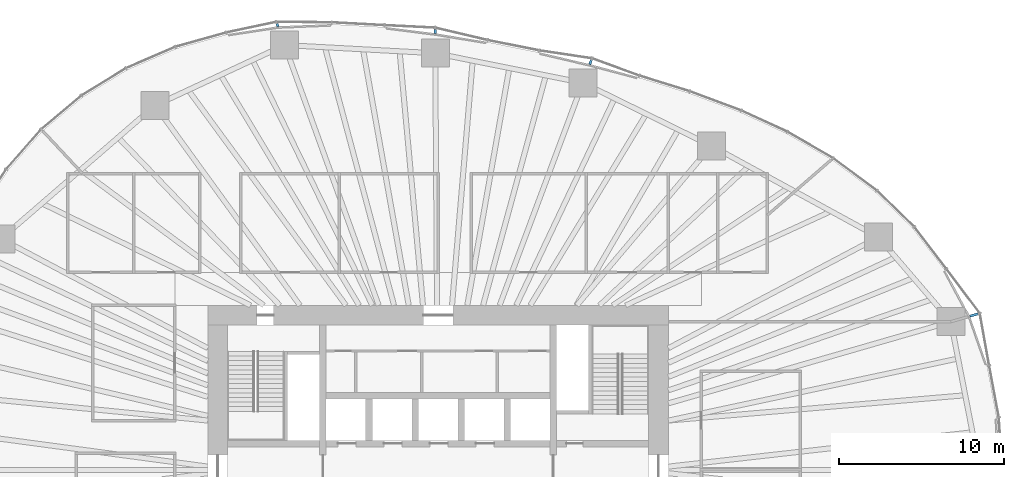
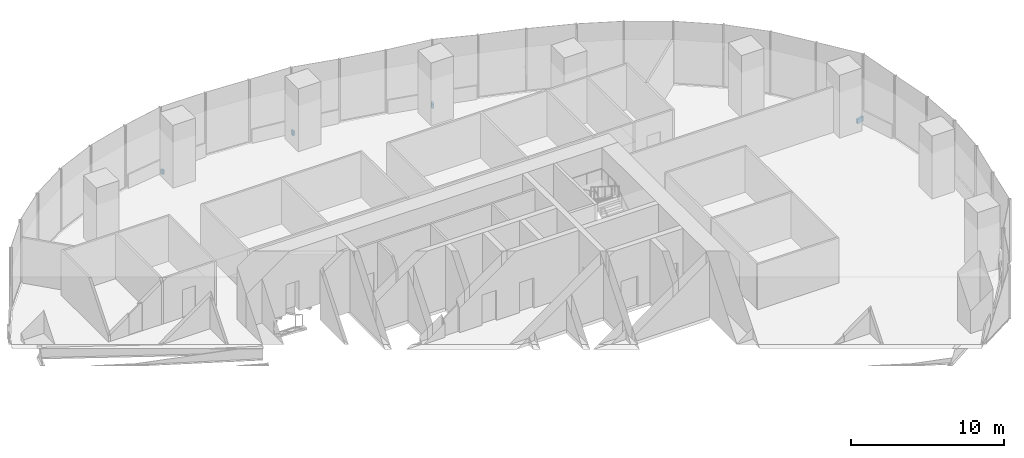
# One storey, part 15 of 19: 4 discrete accessories.
"""IFC4 building model written with IfcOpenShell, lengths in metres."""

import ifcopenshell
import ifcopenshell.guid

model = None  # the IFC model being written
_history = None  # IfcOwnerHistory: only IFC2X3 demands one
_inside = {}  # id of a spatial element -> (the spatial element, [elements in it])
_under = {}  # id of a project, library or spatial element -> (it, [spatial elements below it])
_declared = {}  # id of a project -> (the project, [libraries it declares])
_typed = {}  # id of a type object -> (the type object, [elements of that type])
_made_of = {}  # id of a material, layer set ... -> (it, [elements and type objects made of it])


def new_model(schema):
    """Start an empty IFC model of exactly this schema.

    Asked for "IFC4X3", IfcOpenShell would pick the latest addendum, in which some entities
    have other attributes; the version numbers below select the first issue.
    IFC2X3 requires an IfcOwnerHistory on every rooted entity: one is made here for all.
    """
    global model, _history
    if schema == "IFC4X3":
        model = ifcopenshell.file(schema_version=(4, 3, 0, 0))
    else:
        model = ifcopenshell.file(schema=schema)
    _inside.clear()
    _under.clear()
    _declared.clear()
    _typed.clear()
    _made_of.clear()
    _history = None
    if model.schema == "IFC2X3":
        org = make("IfcOrganization", Name="unknown")
        user = make(
            "IfcPersonAndOrganization",
            ThePerson=make("IfcPerson", FamilyName="unknown"),
            TheOrganization=org,
        )
        app = make(
            "IfcApplication",
            ApplicationDeveloper=org,
            Version="unknown",
            ApplicationFullName="unknown",
            ApplicationIdentifier="unknown",
        )
        _history = make(
            "IfcOwnerHistory",
            OwningUser=user,
            OwningApplication=app,
            ChangeAction="ADDED",
            CreationDate=0,
        )
    return model


def make(cls, **values):
    """One entity of the class cls with the attributes given. An attribute that is None is left unset."""
    return model.create_entity(
        cls, **{name: value for name, value in values.items() if value is not None}
    )


def rooted(cls, **values):
    """An entity with a GlobalId (a new one), such as an element, a storey or a relation."""
    return make(cls, GlobalId=ifcopenshell.guid.new(), OwnerHistory=_history, **values)


def si_unit(unit_type, name, prefix=None):
    """IfcSIUnit, for example si_unit("LENGTHUNIT", "METRE", prefix="MILLI")."""
    return make("IfcSIUnit", UnitType=unit_type, Prefix=prefix, Name=name)


def assignment(units):
    """IfcUnitAssignment: the units of a project."""
    return None if units is None else make("IfcUnitAssignment", Units=units)


def point(xyz):
    """IfcCartesianPoint."""
    return None if xyz is None else make("IfcCartesianPoint", Coordinates=xyz)


def direction(xyz):
    """IfcDirection."""
    return None if xyz is None else make("IfcDirection", DirectionRatios=xyz)


def frame(location, z_axis=None, x_axis=None):
    """IfcAxis2Placement3D, a coordinate frame: its origin and axes. An axis left out is left unset."""
    return make(
        "IfcAxis2Placement3D",
        Location=point(location),
        Axis=direction(z_axis),
        RefDirection=direction(x_axis),
    )


def frame_2d(location, x_axis=None):
    """IfcAxis2Placement2D, a coordinate frame in the plane: its origin and x axis."""
    return make(
        "IfcAxis2Placement2D", Location=point(location), RefDirection=direction(x_axis)
    )


def origin():
    """The frame at (0, 0, 0) with its axes left unset."""
    return frame((0.0, 0.0, 0.0))


def origin_2d():
    """The frame at (0, 0) in the plane with its x axis left unset."""
    return frame_2d((0.0, 0.0))


def place(relative_to, where):
    """IfcLocalPlacement: puts the frame where relative to a parent placement (None: the world)."""
    return make(
        "IfcLocalPlacement", PlacementRelTo=relative_to, RelativePlacement=where
    )


def context(
    kind, dimensions, precision=None, world=None, true_north=None, identifier=None
):
    """IfcGeometricRepresentationContext, for example the 3D "Model" context."""
    return make(
        "IfcGeometricRepresentationContext",
        ContextIdentifier=identifier,
        ContextType=kind,
        CoordinateSpaceDimension=dimensions,
        Precision=precision,
        WorldCoordinateSystem=world,
        TrueNorth=true_north,
    )


def subcontext(parent, identifier, kind, view, scale=None):
    """IfcGeometricRepresentationSubContext, for example "Body" below "Model"."""
    return make(
        "IfcGeometricRepresentationSubContext",
        ContextIdentifier=identifier,
        ContextType=kind,
        ParentContext=parent,
        TargetScale=scale,
        TargetView=view,
    )


def project(units=None, contexts=None):
    """IfcProject with its units and contexts."""
    return rooted(
        "IfcProject",
        Name="project",
        RepresentationContexts=contexts,
        UnitsInContext=assignment(units),
    )


def spatial(cls, under=None, at=None, **own):
    """A site, building, storey or space (cls), placed at a placement, below another one or the project."""
    s = rooted(cls, ObjectPlacement=at, **own)
    if under is not None:
        _under.setdefault(under.id(), (under, []))[1].append(s)
    return s


def profile(cls, at=None, kind="AREA", **sizes):
    """A parametric profile (cls). Its sizes go by their IFC names, for example OverallWidth=200.0."""
    return make(cls, ProfileType=kind, Position=at, **sizes)


def rectangle(**sizes):
    """IfcRectangleProfileDef."""
    return profile("IfcRectangleProfileDef", **sizes)


def extrude(swept, where, along, depth):
    """IfcExtrudedAreaSolid: the profile swept, set in the frame where, extruded along a direction by depth."""
    return make(
        "IfcExtrudedAreaSolid",
        SweptArea=swept,
        Position=where,
        ExtrudedDirection=direction(along),
        Depth=depth,
    )


def shape(context_of_items, identifier, shape_type, items):
    """IfcShapeRepresentation: the items that make up one representation, for example the "Body"."""
    return make(
        "IfcShapeRepresentation",
        ContextOfItems=context_of_items,
        RepresentationIdentifier=identifier,
        RepresentationType=shape_type,
        Items=items,
    )


def material(Name=None, Category=None):
    """IfcMaterial."""
    return make("IfcMaterial", Name=Name, Category=Category)


def made_of(thing, what):
    """Note that an element or type object is made of a material, layer set ...; save() writes the relation."""
    if what is not None:
        _made_of.setdefault(what.id(), (what, []))[1].append(thing)
    return thing


def type_object(cls, material=None, **own):
    """A type object (cls), such as IfcWallType, which elements share."""
    return made_of(rooted(cls, **own), material)


def element(
    cls,
    number,
    at=None,
    inside=None,
    cuts=None,
    type_object=None,
    material=None,
    context=None,
    identifier="Body",
    shape_type=None,
    held_by="IfcProductDefinitionShape",
    body=None,
    shapes=None,
    **own,
):
    """One element of the class cls, such as IfcWall. Its Tag is "e" and its number.

    at: its placement. inside: the storey or other place that contains it. cuts: it is an
    opening in that element (IfcRelVoidsElement). A single representation is given by context,
    identifier, shape_type and body (its items); several are given by shapes. held_by: the class
    of the entity that holds the representations. save() writes the other relations.
    """
    e = rooted(cls, Tag="e%d" % number, ObjectPlacement=at, **own)
    if body is not None:
        shapes = [shape(context, identifier, shape_type, body)]
    if shapes is not None:
        e.Representation = make(held_by, Representations=shapes)
    if inside is not None:
        _inside.setdefault(inside.id(), (inside, []))[1].append(e)
    if cuts is not None:
        rooted(
            "IfcRelVoidsElement", RelatingBuildingElement=cuts, RelatedOpeningElement=e
        )
    if type_object is not None:
        _typed.setdefault(type_object.id(), (type_object, []))[1].append(e)
    return made_of(e, material)


def aggregate(whole, parts):
    """IfcRelAggregates: a whole, such as a stair, and the parts it consists of."""
    return rooted("IfcRelAggregates", RelatingObject=whole, RelatedObjects=parts)


def save(model, path):
    """Write the relations noted so far, then the file.

    IfcRelAggregates (storeys below a building ...), IfcRelContainedInSpatialStructure (elements
    in a storey), IfcRelDefinesByType, IfcRelAssociatesMaterial and IfcRelDeclares: one each for
    every whole, place, type object, material and project.
    """
    for whole, parts in _under.values():
        aggregate(whole, parts)
    for where, things in _inside.values():
        rooted(
            "IfcRelContainedInSpatialStructure",
            RelatedElements=things,
            RelatingStructure=where,
        )
    for kind, things in _typed.values():
        rooted("IfcRelDefinesByType", RelatedObjects=things, RelatingType=kind)
    for what, things in _made_of.values():
        rooted("IfcRelAssociatesMaterial", RelatedObjects=things, RelatingMaterial=what)
    for by, libraries in _declared.values():
        rooted("IfcRelDeclares", RelatingContext=by, RelatedDefinitions=libraries)
    model.write(path)


model = new_model("IFC4")

# Units and contexts
model_context = context("Model", 3, precision=1e-05, world=origin(), true_north=direction((0.0, 1.0)))
body_context = subcontext(model_context, "Body", "Model", "MODEL_VIEW")
ifc_project = project(units=[si_unit("LENGTHUNIT", "METRE"), si_unit("AREAUNIT", "SQUARE_METRE"), si_unit("VOLUMEUNIT", "CUBIC_METRE"), si_unit("PLANEANGLEUNIT", "RADIAN"), si_unit("MASSUNIT", "GRAM", prefix="KILO")], contexts=[model_context])

# Site, building, storey
site_placement = place(None, origin())
site = spatial("IfcSite", under=ifc_project, at=site_placement, CompositionType="ELEMENT")
building_placement = place(site_placement, origin())
building = spatial("IfcBuilding", under=site, at=building_placement, Name="Ghaith Harvest Tower", CompositionType="ELEMENT")
storey_placement = place(building_placement, frame((0.0, 0.0, 75.0)))
storey = spatial("IfcBuildingStorey", under=building, at=storey_placement, Name="L15", CompositionType="ELEMENT", Elevation=75.0)

# Discrete accessories
ifc_material_1 = material(Name="Stainless steel grade 1.4401", Category="steel")
discrete_accessory_type_1 = type_object("IfcDiscreteAccessoryType", Name="CURTAIN WALL BRACKET 205", PredefinedType="BRACKET", material=ifc_material_1)
discrete_accessory_1_placement = place(storey_placement, frame((-9.766845703125, 27.04150390625, -0.25), z_axis=(0.0, 0.0, 1.0), x_axis=(-0.339699453402, 0.94053404051, 0.0)))
element("IfcDiscreteAccessory", 1, at=discrete_accessory_1_placement, inside=storey, type_object=discrete_accessory_type_1, Name="CW-F bracket 1 bay 07 L15", PredefinedType="BRACKET", context=body_context, shape_type="SweptSolid", body=[
    extrude(rectangle(XDim=0.205078125, YDim=0.14990234375, at=origin_2d()), origin(), (0.0, 0.0, 1.0), 0.35009765625),
])
ifc_material_2 = material(Name="Stainless steel grade 1.4401", Category="steel")
discrete_accessory_type_2 = type_object("IfcDiscreteAccessoryType", Name="CURTAIN WALL BRACKET 255", PredefinedType="BRACKET", material=ifc_material_2)
discrete_accessory_2_placement = place(storey_placement, frame((-0.182373046875, 26.649658203125, -0.25), z_axis=(0.0, 0.0, 1.0), x_axis=(-0.006843747783, 0.999976581284, 0.0)))
element("IfcDiscreteAccessory", 2, at=discrete_accessory_2_placement, inside=storey, type_object=discrete_accessory_type_2, Name="CW-F bracket 1 bay 06 L15", PredefinedType="BRACKET", context=body_context, shape_type="SweptSolid", body=[
    extrude(rectangle(XDim=0.2548828125, YDim=0.14990234375, at=origin_2d()), origin(), (0.0, 0.0, 1.0), 0.35009765625),
])
ifc_material_3 = material(Name="Stainless steel grade 1.4401", Category="steel")
discrete_accessory_type_3 = type_object("IfcDiscreteAccessoryType", Name="CURTAIN WALL BRACKET 295", PredefinedType="BRACKET", material=ifc_material_3)
discrete_accessory_3_placement = place(storey_placement, frame((9.265380859375, 24.7841796875, -0.25), z_axis=(0.0, 0.0, 1.0), x_axis=(0.35016769709, 0.936687025593, 0.0)))
element("IfcDiscreteAccessory", 3, at=discrete_accessory_3_placement, inside=storey, type_object=discrete_accessory_type_3, Name="CW-F bracket 1 bay 05 L15", PredefinedType="BRACKET", context=body_context, shape_type="SweptSolid", body=[
    extrude(rectangle(XDim=0.294921875, YDim=0.14990234375, at=origin_2d()), origin(), (0.0, 0.0, 1.0), 0.35009765625),
])
ifc_material_4 = material(Name="Stainless steel grade 1.4401", Category="steel")
discrete_accessory_type_4 = type_object("IfcDiscreteAccessoryType", Name="CURTAIN WALL BRACKET 535", PredefinedType="BRACKET", material=ifc_material_4)
discrete_accessory_4_placement = place(storey_placement, frame((32.570556640625, 9.41357421875, -0.25), z_axis=(0.0, 0.0, 1.0), x_axis=(0.960680349985, 0.277656739792, 0.0)))
element("IfcDiscreteAccessory", 4, at=discrete_accessory_4_placement, inside=storey, type_object=discrete_accessory_type_4, Name="CW-F bracket 1 bay 02 L15", PredefinedType="BRACKET", context=body_context, shape_type="SweptSolid", body=[
    extrude(rectangle(XDim=0.534912109375, YDim=0.14990234375, at=origin_2d()), origin(), (0.0, 0.0, 1.0), 0.35009765625),
])

save(model, "model.ifc")
